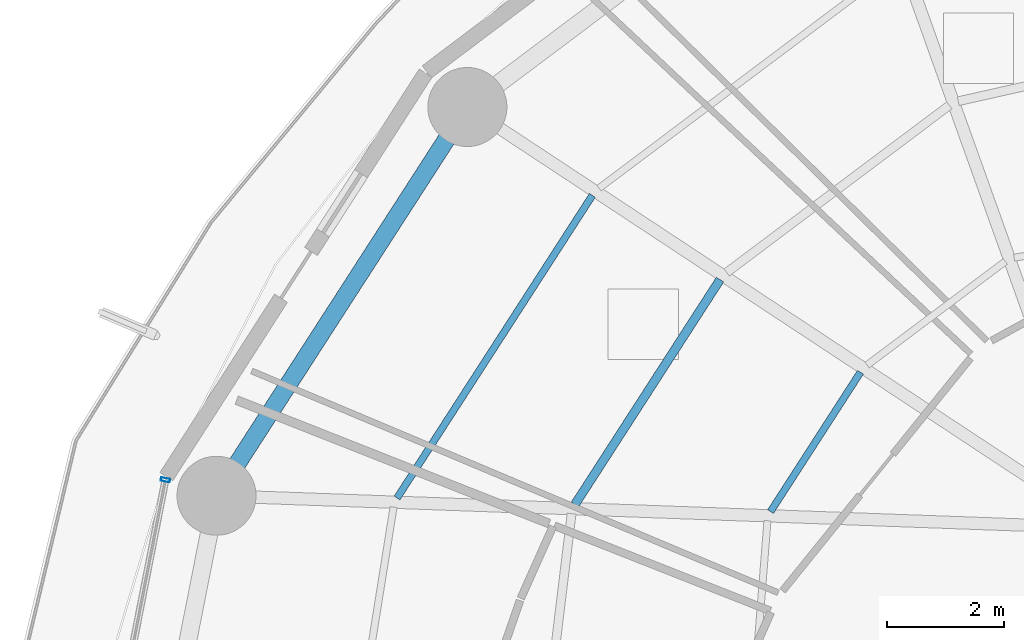
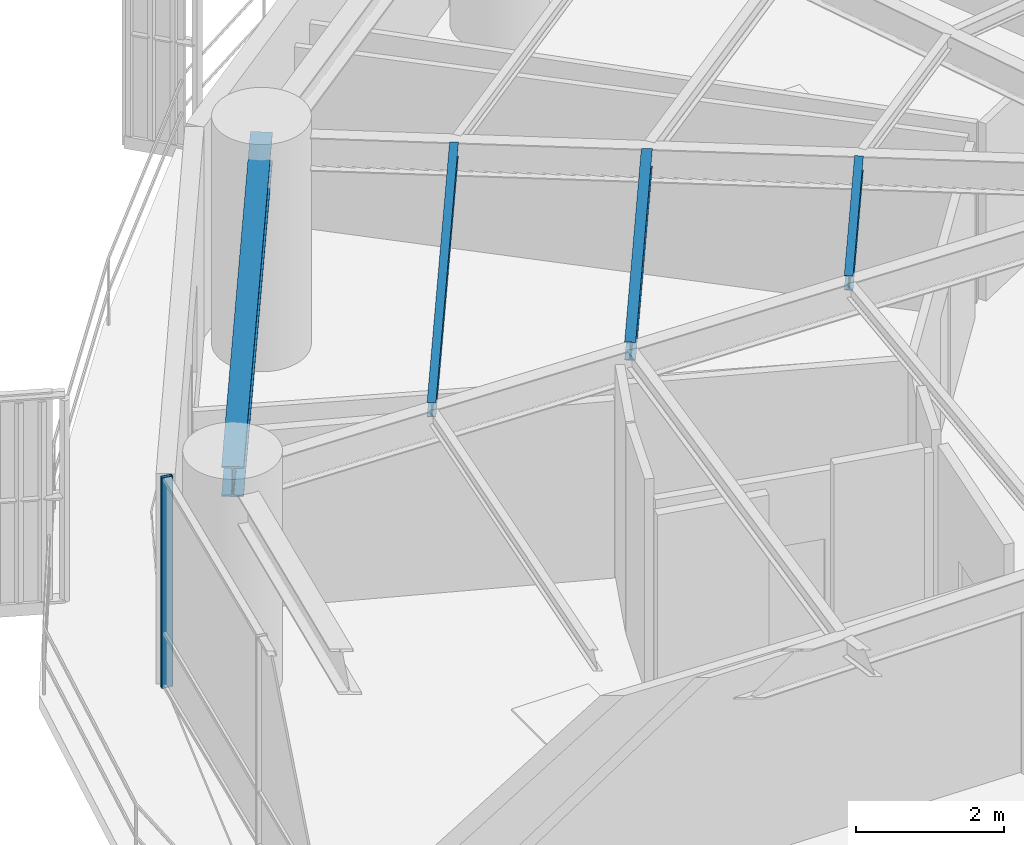
# One storey, part 18 of 37: 4 beams, 1 member, 1 element without a shape of its own.
"""IFC4 building model written with IfcOpenShell, lengths in metres."""

import ifcopenshell
import ifcopenshell.guid

model = None  # the IFC model being written
_history = None  # IfcOwnerHistory: only IFC2X3 demands one
_inside = {}  # id of a spatial element -> (the spatial element, [elements in it])
_under = {}  # id of a project, library or spatial element -> (it, [spatial elements below it])
_declared = {}  # id of a project -> (the project, [libraries it declares])
_typed = {}  # id of a type object -> (the type object, [elements of that type])
_made_of = {}  # id of a material, layer set ... -> (it, [elements and type objects made of it])


def new_model(schema):
    """Start an empty IFC model of exactly this schema.

    Asked for "IFC4X3", IfcOpenShell would pick the latest addendum, in which some entities
    have other attributes; the version numbers below select the first issue.
    IFC2X3 requires an IfcOwnerHistory on every rooted entity: one is made here for all.
    """
    global model, _history
    if schema == "IFC4X3":
        model = ifcopenshell.file(schema_version=(4, 3, 0, 0))
    else:
        model = ifcopenshell.file(schema=schema)
    _inside.clear()
    _under.clear()
    _declared.clear()
    _typed.clear()
    _made_of.clear()
    _history = None
    if model.schema == "IFC2X3":
        org = make("IfcOrganization", Name="unknown")
        user = make(
            "IfcPersonAndOrganization",
            ThePerson=make("IfcPerson", FamilyName="unknown"),
            TheOrganization=org,
        )
        app = make(
            "IfcApplication",
            ApplicationDeveloper=org,
            Version="unknown",
            ApplicationFullName="unknown",
            ApplicationIdentifier="unknown",
        )
        _history = make(
            "IfcOwnerHistory",
            OwningUser=user,
            OwningApplication=app,
            ChangeAction="ADDED",
            CreationDate=0,
        )
    return model


def make(cls, **values):
    """One entity of the class cls with the attributes given. An attribute that is None is left unset."""
    return model.create_entity(
        cls, **{name: value for name, value in values.items() if value is not None}
    )


def rooted(cls, **values):
    """An entity with a GlobalId (a new one), such as an element, a storey or a relation."""
    return make(cls, GlobalId=ifcopenshell.guid.new(), OwnerHistory=_history, **values)


def si_unit(unit_type, name, prefix=None):
    """IfcSIUnit, for example si_unit("LENGTHUNIT", "METRE", prefix="MILLI")."""
    return make("IfcSIUnit", UnitType=unit_type, Prefix=prefix, Name=name)


def assignment(units):
    """IfcUnitAssignment: the units of a project."""
    return None if units is None else make("IfcUnitAssignment", Units=units)


def point(xyz):
    """IfcCartesianPoint."""
    return None if xyz is None else make("IfcCartesianPoint", Coordinates=xyz)


def direction(xyz):
    """IfcDirection."""
    return None if xyz is None else make("IfcDirection", DirectionRatios=xyz)


def frame(location, z_axis=None, x_axis=None):
    """IfcAxis2Placement3D, a coordinate frame: its origin and axes. An axis left out is left unset."""
    return make(
        "IfcAxis2Placement3D",
        Location=point(location),
        Axis=direction(z_axis),
        RefDirection=direction(x_axis),
    )


def frame_2d(location, x_axis=None):
    """IfcAxis2Placement2D, a coordinate frame in the plane: its origin and x axis."""
    return make(
        "IfcAxis2Placement2D", Location=point(location), RefDirection=direction(x_axis)
    )


def origin():
    """The frame at (0, 0, 0) with its axes left unset."""
    return frame((0.0, 0.0, 0.0))


def origin_2d():
    """The frame at (0, 0) in the plane with its x axis left unset."""
    return frame_2d((0.0, 0.0))


def place(relative_to, where):
    """IfcLocalPlacement: puts the frame where relative to a parent placement (None: the world)."""
    return make(
        "IfcLocalPlacement", PlacementRelTo=relative_to, RelativePlacement=where
    )


def context(
    kind, dimensions, precision=None, world=None, true_north=None, identifier=None
):
    """IfcGeometricRepresentationContext, for example the 3D "Model" context."""
    return make(
        "IfcGeometricRepresentationContext",
        ContextIdentifier=identifier,
        ContextType=kind,
        CoordinateSpaceDimension=dimensions,
        Precision=precision,
        WorldCoordinateSystem=world,
        TrueNorth=true_north,
    )


def subcontext(parent, identifier, kind, view, scale=None):
    """IfcGeometricRepresentationSubContext, for example "Body" below "Model"."""
    return make(
        "IfcGeometricRepresentationSubContext",
        ContextIdentifier=identifier,
        ContextType=kind,
        ParentContext=parent,
        TargetScale=scale,
        TargetView=view,
    )


def project(units=None, contexts=None):
    """IfcProject with its units and contexts."""
    return rooted(
        "IfcProject",
        Name="project",
        RepresentationContexts=contexts,
        UnitsInContext=assignment(units),
    )


def spatial(cls, under=None, at=None, **own):
    """A site, building, storey or space (cls), placed at a placement, below another one or the project."""
    s = rooted(cls, ObjectPlacement=at, **own)
    if under is not None:
        _under.setdefault(under.id(), (under, []))[1].append(s)
    return s


def profile(cls, at=None, kind="AREA", **sizes):
    """A parametric profile (cls). Its sizes go by their IFC names, for example OverallWidth=200.0."""
    return make(cls, ProfileType=kind, Position=at, **sizes)


def hollow_rectangle(**sizes):
    """IfcRectangleHollowProfileDef."""
    return profile("IfcRectangleHollowProfileDef", **sizes)


def i_section(**sizes):
    """IfcIShapeProfileDef."""
    return profile("IfcIShapeProfileDef", **sizes)


def extrude(swept, where, along, depth):
    """IfcExtrudedAreaSolid: the profile swept, set in the frame where, extruded along a direction by depth."""
    return make(
        "IfcExtrudedAreaSolid",
        SweptArea=swept,
        Position=where,
        ExtrudedDirection=direction(along),
        Depth=depth,
    )


def shape(context_of_items, identifier, shape_type, items):
    """IfcShapeRepresentation: the items that make up one representation, for example the "Body"."""
    return make(
        "IfcShapeRepresentation",
        ContextOfItems=context_of_items,
        RepresentationIdentifier=identifier,
        RepresentationType=shape_type,
        Items=items,
    )


def material(Name=None, Category=None):
    """IfcMaterial."""
    return make("IfcMaterial", Name=Name, Category=Category)


def layer(
    of_material, thickness, ventilated=None, Name=None, Category=None, Priority=None
):
    """IfcMaterialLayer: one layer of a wall or slab, of a material (None: an air gap)."""
    return make(
        "IfcMaterialLayer",
        Material=of_material,
        LayerThickness=thickness,
        IsVentilated=ventilated,
        Name=Name,
        Category=Category,
        Priority=Priority,
    )


def layer_set(layers, Name=None):
    """IfcMaterialLayerSet."""
    return make("IfcMaterialLayerSet", MaterialLayers=layers, LayerSetName=Name)


def material_profile(
    of_material, cross_section, Name=None, Category=None, Priority=None
):
    """IfcMaterialProfile: a cross section and its material."""
    return make(
        "IfcMaterialProfile",
        Name=Name,
        Material=of_material,
        Profile=cross_section,
        Priority=Priority,
        Category=Category,
    )


def profile_set(profiles, Name=None, composite=None):
    """IfcMaterialProfileSet."""
    return make(
        "IfcMaterialProfileSet",
        Name=Name,
        MaterialProfiles=profiles,
        CompositeProfile=composite,
    )


def made_of(thing, what):
    """Note that an element or type object is made of a material, layer set ...; save() writes the relation."""
    if what is not None:
        _made_of.setdefault(what.id(), (what, []))[1].append(thing)
    return thing


def type_object(cls, material=None, **own):
    """A type object (cls), such as IfcWallType, which elements share."""
    return made_of(rooted(cls, **own), material)


def element(
    cls,
    number,
    at=None,
    inside=None,
    cuts=None,
    type_object=None,
    material=None,
    context=None,
    identifier="Body",
    shape_type=None,
    held_by="IfcProductDefinitionShape",
    body=None,
    shapes=None,
    **own,
):
    """One element of the class cls, such as IfcWall. Its Tag is "e" and its number.

    at: its placement. inside: the storey or other place that contains it. cuts: it is an
    opening in that element (IfcRelVoidsElement). A single representation is given by context,
    identifier, shape_type and body (its items); several are given by shapes. held_by: the class
    of the entity that holds the representations. save() writes the other relations.
    """
    e = rooted(cls, Tag="e%d" % number, ObjectPlacement=at, **own)
    if body is not None:
        shapes = [shape(context, identifier, shape_type, body)]
    if shapes is not None:
        e.Representation = make(held_by, Representations=shapes)
    if inside is not None:
        _inside.setdefault(inside.id(), (inside, []))[1].append(e)
    if cuts is not None:
        rooted(
            "IfcRelVoidsElement", RelatingBuildingElement=cuts, RelatedOpeningElement=e
        )
    if type_object is not None:
        _typed.setdefault(type_object.id(), (type_object, []))[1].append(e)
    return made_of(e, material)


def aggregate(whole, parts):
    """IfcRelAggregates: a whole, such as a stair, and the parts it consists of."""
    return rooted("IfcRelAggregates", RelatingObject=whole, RelatedObjects=parts)


def save(model, path):
    """Write the relations noted so far, then the file.

    IfcRelAggregates (storeys below a building ...), IfcRelContainedInSpatialStructure (elements
    in a storey), IfcRelDefinesByType, IfcRelAssociatesMaterial and IfcRelDeclares: one each for
    every whole, place, type object, material and project.
    """
    for whole, parts in _under.values():
        aggregate(whole, parts)
    for where, things in _inside.values():
        rooted(
            "IfcRelContainedInSpatialStructure",
            RelatedElements=things,
            RelatingStructure=where,
        )
    for kind, things in _typed.values():
        rooted("IfcRelDefinesByType", RelatedObjects=things, RelatingType=kind)
    for what, things in _made_of.values():
        rooted("IfcRelAssociatesMaterial", RelatedObjects=things, RelatingMaterial=what)
    for by, libraries in _declared.values():
        rooted("IfcRelDeclares", RelatingContext=by, RelatedDefinitions=libraries)
    model.write(path)


model = new_model("IFC4")

# Units and contexts
model_context = context("Model", 3, precision=1e-05, world=origin(), true_north=direction((0.0, 1.0)))
body_context = subcontext(model_context, "Body", "Model", "MODEL_VIEW")
ifc_project = project(units=[si_unit("LENGTHUNIT", "METRE"), si_unit("AREAUNIT", "SQUARE_METRE"), si_unit("VOLUMEUNIT", "CUBIC_METRE"), si_unit("PLANEANGLEUNIT", "RADIAN"), si_unit("MASSUNIT", "GRAM", prefix="KILO")], contexts=[model_context])

# Site, building, storey
site_placement = place(None, origin())
site = spatial("IfcSite", under=ifc_project, at=site_placement, CompositionType="ELEMENT")
building_placement = place(site_placement, origin())
building = spatial("IfcBuilding", under=site, at=building_placement, Name="Kelanora Arch Commons", CompositionType="ELEMENT")
storey_placement = place(building_placement, frame((0.0, 0.0, 110.10009765625)))
storey = spatial("IfcBuildingStorey", under=building, at=storey_placement, Name="L28", CompositionType="ELEMENT", Elevation=110.10009765625)

# Beams
ifc_material_1 = material(Name="Steel S355", Category="steel")
ifc_material_profile_1 = material_profile(ifc_material_1, i_section(OverallWidth=0.14990234375, OverallDepth=0.300048828125, WebThickness=0.007080078125, FlangeThickness=0.0107421875, FilletRadius=0.014892578125, at=origin_2d()), Name="IPE300")
ifc_profile_set_1 = profile_set([ifc_material_profile_1], Name="Steel S355")
beam_type_1 = type_object("IfcBeamType", Name="BM-JST-01", PredefinedType="JOIST", material=ifc_profile_set_1)
beam_1_placement = place(storey_placement, frame((59.410400390625, 69.244384765625, 3.33984375), z_axis=(-0.542230243286, -0.840229946661, 0.0), x_axis=(0.840229946661, -0.542230243286, 0.0)))
element("IfcBeam", 1, at=beam_1_placement, inside=storey, type_object=beam_type_1, Name="Secondary Chord Joist BJB-14 L28", PredefinedType="JOIST", context=body_context, shape_type="SweptSolid", body=[
    extrude(i_section(OverallWidth=0.14990234375, OverallDepth=0.300048828125, WebThickness=0.007080078125, FlangeThickness=0.0107421875, FilletRadius=0.014892578125, at=origin_2d()), origin(), (0.0, 0.0, 1.0), 4.572265625),
])
ifc_material_profile_2 = material_profile(ifc_material_1, i_section(OverallWidth=0.1201171875, OverallDepth=0.239990234375, WebThickness=0.006103515625, FlangeThickness=0.009765625, FilletRadius=0.014892578125, at=origin_2d()), Name="IPE240")
ifc_profile_set_2 = profile_set([ifc_material_profile_2], Name="Steel S355")
beam_type_2 = type_object("IfcBeamType", Name="BM-JST-02", PredefinedType="JOIST", material=ifc_profile_set_2)
beam_2_placement = place(storey_placement, frame((61.8095703125, 67.661865234375, 3.369873046875), z_axis=(-0.542211255502, -0.840242199849, 0.0), x_axis=(0.840242199849, -0.542211255502, 0.0)))
element("IfcBeam", 2, at=beam_2_placement, inside=storey, type_object=beam_type_2, Name="Secondary Chord Joist BJA-14 L28", PredefinedType="JOIST", context=body_context, shape_type="SweptSolid", body=[
    extrude(i_section(OverallWidth=0.1201171875, OverallDepth=0.239990234375, WebThickness=0.006103515625, FlangeThickness=0.009765625, FilletRadius=0.014892578125, at=origin_2d()), origin(), (0.0, 0.0, 1.0), 2.83349609375),
])
beam_3_placement = place(storey_placement, frame((57.22900390625, 70.682861328125, 3.369873046875), z_axis=(-0.542212726273, -0.840241250754, 0.0), x_axis=(0.840241250754, -0.542212726273, 0.0)))
element("IfcBeam", 3, at=beam_3_placement, inside=storey, type_object=beam_type_2, Name="Secondary Chord Joist BJC-14 L28", PredefinedType="JOIST", context=body_context, shape_type="SweptSolid", body=[
    extrude(i_section(OverallWidth=0.1201171875, OverallDepth=0.239990234375, WebThickness=0.006103515625, FlangeThickness=0.009765625, FilletRadius=0.014892578125, at=origin_2d()), origin(), (0.0, 0.0, 1.0), 6.15283203125),
])
ifc_material_profile_3 = material_profile(ifc_material_1, i_section(OverallWidth=0.300048828125, OverallDepth=0.5, WebThickness=0.014404296875, FlangeThickness=0.028076171875, FilletRadius=0.027099609375, at=origin_2d()), Name="HEB500")
ifc_profile_set_3 = profile_set([ifc_material_profile_3], Name="Steel S355")
beam_type_3 = type_object("IfcBeamType", Name="BM-SPN-Z2", PredefinedType="SPANDREL", material=ifc_profile_set_3)
beam_4_placement = place(storey_placement, frame((55.093994140625, 72.19287109375, 3.239990234375), z_axis=(-0.542221144054, -0.840235818649, 0.0), x_axis=(0.840235818649, -0.542221144054, 0.0)))
element("IfcBeam", 4, at=beam_4_placement, inside=storey, type_object=beam_type_3, Name="Perimeter Spandrel Beam BS-14 L28", PredefinedType="SPANDREL", context=body_context, shape_type="SweptSolid", body=[
    extrude(i_section(OverallWidth=0.300048828125, OverallDepth=0.5, WebThickness=0.014404296875, FlangeThickness=0.028076171875, FilletRadius=0.027099609375, at=origin_2d()), origin(), (0.0, 0.0, 1.0), 7.90380859375),
])

# Curtain wall, member
ifc_material_2 = material(Name="Terracotta ceramic-fritted low-E glass and aluminium", Category="masonry")
ifc_layer = layer(ifc_material_2, 0.159912109375)
ifc_layer_set = layer_set([ifc_layer], Name="Terracotta ceramic-fritted low-E glass and aluminium")
curtain_wall_type = type_object("IfcCurtainWallType", Name="CW-SYS-01", PredefinedType="NOTDEFINED", material=ifc_layer_set)
curtain_wall_placement = place(storey_placement, origin())
curtain_wall = element("IfcCurtainWall", 5, at=curtain_wall_placement, inside=storey, type_object=curtain_wall_type, Name="Unitised Curtain Wall L28-B08", PredefinedType="NOTDEFINED")
ifc_material_3 = material(Name="Powder-coated aluminium terracotta", Category="masonry")
ifc_material_profile_4 = material_profile(ifc_material_3, hollow_rectangle(XDim=0.159912109375, YDim=0.06005859375, WallThickness=0.0048828125, InnerFilletRadius=0.0048828125, OuterFilletRadius=0.010009765625, at=origin_2d()), Name="CWM160x60")
ifc_profile_set_4 = profile_set([ifc_material_profile_4], Name="Powder-coated aluminium terracotta")
member_type = type_object("IfcMemberType", Name="CWM-STD", PredefinedType="MULLION", material=ifc_profile_set_4)
member_placement = place(storey_placement, frame((49.935302734375, 65.822265625, 0.0), z_axis=(0.0, 0.0, 1.0), x_axis=(0.981280311646, -0.192584916272, 0.0)))
member = element("IfcMember", 6, at=member_placement, type_object=member_type, Name="CW-01 mullion 1", PredefinedType="MULLION", context=body_context, shape_type="SweptSolid", body=[
    extrude(hollow_rectangle(XDim=0.159912109375, YDim=0.06005859375, WallThickness=0.0048828125, InnerFilletRadius=0.0048828125, OuterFilletRadius=0.010009765625, at=origin_2d()), origin(), (0.0, 0.0, 1.0), 3.474853515625),
])
aggregate(curtain_wall, [member])

save(model, "model.ifc")
